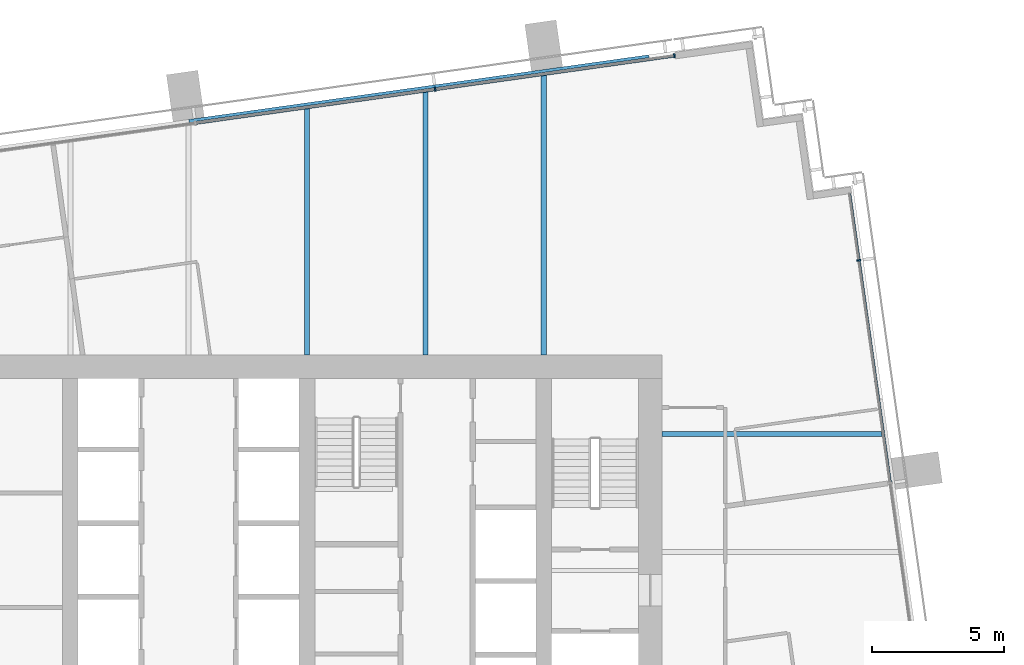
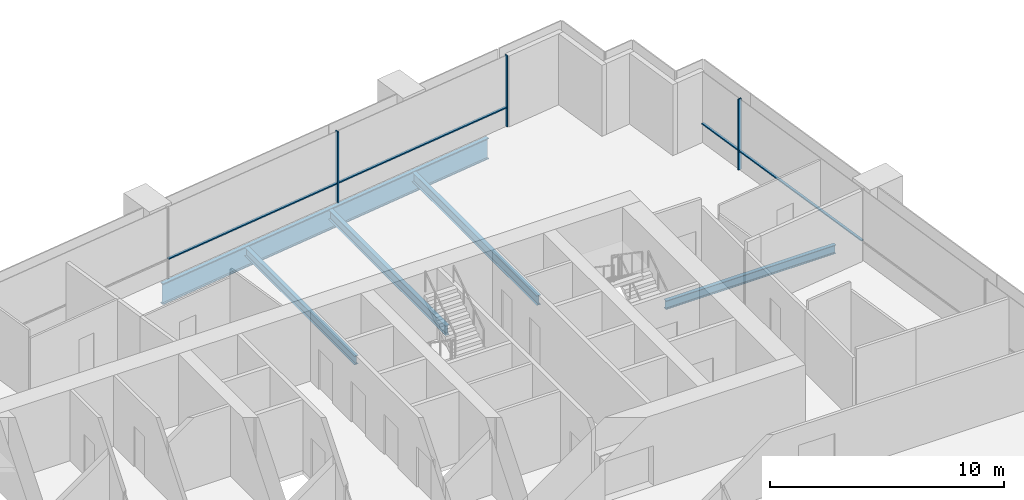
# One storey, part 7 of 18: 7 members, 5 beams, 2 elements without a shape of their own.
"""IFC4 building model written with IfcOpenShell, lengths in metres."""

from ifc_helpers import new_model, si_unit, direction, frame, origin, origin_2d, place, context, subcontext, project, spatial, rectangle, i_section, extrude, material, material_profile, profile_set, type_object, element, aggregate, save


model = new_model("IFC4")

# Units and contexts
model_context = context("Model", 3, precision=1e-05, world=origin(), true_north=direction((0.0, 1.0)))
body_context = subcontext(model_context, "Body", "Model", "MODEL_VIEW")
ifc_project = project(units=[si_unit("LENGTHUNIT", "METRE"), si_unit("AREAUNIT", "SQUARE_METRE"), si_unit("VOLUMEUNIT", "CUBIC_METRE"), si_unit("PLANEANGLEUNIT", "RADIAN"), si_unit("MASSUNIT", "GRAM", prefix="KILO")], contexts=[model_context])

# Site, building, storey
site_placement = place(None, origin())
site = spatial("IfcSite", under=ifc_project, at=site_placement, CompositionType="ELEMENT")
building_placement = place(site_placement, origin())
building = spatial("IfcBuilding", under=site, at=building_placement, Name="Rattan Terrace Tower", CompositionType="ELEMENT")
storey_placement = place(building_placement, frame((0.0, 0.0, 176.300048828125)))
storey = spatial("IfcBuildingStorey", under=building, at=storey_placement, Name="L40", CompositionType="ELEMENT", Elevation=176.300048828125)

# Curtain wall, member
ifc_material_1 = material(Name="Aluminium and glass", Category="aluminium")
curtain_wall_type = type_object("IfcCurtainWallType", Name="Facade Unitised Curtain Wall", PredefinedType="NOTDEFINED", material=ifc_material_1)
curtain_wall_1_placement = place(storey_placement, origin())
curtain_wall_1 = element("IfcCurtainWall", 1, at=curtain_wall_1_placement, inside=storey, type_object=curtain_wall_type, Name="Curtain wall L40-1", PredefinedType="NOTDEFINED")
ifc_material_2 = material(Name="Aluminium", Category="aluminium")
ifc_material_profile_1 = material_profile(ifc_material_2, rectangle(XDim=0.06005859375, YDim=0.159912109375, at=origin_2d()), Name="Aluminium 60x160")
ifc_profile_set_1 = profile_set([ifc_material_profile_1], Name="Aluminium")
member_type_1 = type_object("IfcMemberType", Name="Facade CW Mullion 60x160", PredefinedType="MULLION", material=ifc_profile_set_1)
member_1_placement = place(storey_placement, frame((25.477294921875, 11.092529296875, 0.0), z_axis=(0.0, 0.0, 1.0), x_axis=(-0.139190856006, 0.99026557327, 0.0)))
member_1 = element("IfcMember", 2, at=member_1_placement, type_object=member_type_1, Name="Mullion cwl-L40-001.4", PredefinedType="MULLION", context=body_context, shape_type="SweptSolid", body=[
    extrude(rectangle(XDim=0.06005859375, YDim=0.159912109375, at=origin_2d()), origin(), (0.0, 0.0, 1.0), 3.699951171875),
])

# Curtain wall, members
curtain_wall_2_placement = place(storey_placement, origin())
curtain_wall_2 = element("IfcCurtainWall", 3, at=curtain_wall_2_placement, inside=storey, type_object=curtain_wall_type, Name="Curtain wall L40-2", PredefinedType="NOTDEFINED")
member_2_placement = place(storey_placement, frame((18.467041015625, 18.87255859375, 0.0), z_axis=(0.0, 0.0, 1.0), x_axis=(-0.990269702686, -0.139161474347, 0.0)))
member_2 = element("IfcMember", 4, at=member_2_placement, type_object=member_type_1, Name="Mullion cwl-L40-002.1", PredefinedType="MULLION", context=body_context, shape_type="SweptSolid", body=[
    extrude(rectangle(XDim=0.06005859375, YDim=0.159912109375, at=origin_2d()), origin(), (0.0, 0.0, 1.0), 3.699951171875),
])
member_3_placement = place(storey_placement, frame((9.373291015625, 17.594482421875, 0.0), z_axis=(0.0, 0.0, 1.0), x_axis=(-0.990269702686, -0.139161474347, 0.0)))
member_3 = element("IfcMember", 5, at=member_3_placement, type_object=member_type_1, Name="Mullion cwl-L40-002.2", PredefinedType="MULLION", context=body_context, shape_type="SweptSolid", body=[
    extrude(rectangle(XDim=0.06005859375, YDim=0.159912109375, at=origin_2d()), origin(), (0.0, 0.0, 1.0), 3.699951171875),
])

# Member
ifc_material_3 = material(Name="Aluminium", Category="aluminium")
ifc_material_profile_2 = material_profile(ifc_material_3, rectangle(XDim=0.1201171875, YDim=0.06005859375, at=origin_2d()), Name="Aluminium 120x60")
ifc_profile_set_2 = profile_set([ifc_material_profile_2], Name="Aluminium")
member_type_2 = type_object("IfcMemberType", Name="Facade CW Transom 120x60", PredefinedType="USERDEFINED", material=ifc_profile_set_2)
member_4_placement = place(storey_placement, frame((26.663330078125, 2.655517578125, 1.0), z_axis=(-0.139178607515, 0.99026729483, 0.0), x_axis=(-0.99026729483, -0.139178607515, 0.0)))
member_4 = element("IfcMember", 6, at=member_4_placement, type_object=member_type_2, Name="Transom cwl-L40-001.3", ObjectType="TRANSOM", PredefinedType="USERDEFINED", context=body_context, shape_type="SweptSolid", body=[
    extrude(rectangle(XDim=0.1201171875, YDim=0.06005859375, at=origin_2d()), origin(), (0.0, 0.0, 1.0), 8.489990234375),
])

member_5_placement = place(storey_placement, frame((25.47314453125, 11.122314453125, 1.0), z_axis=(-0.139106713562, 0.990277396613, 0.0), x_axis=(-0.990277396613, -0.139106713562, 0.0)))
member_5 = element("IfcMember", 7, at=member_5_placement, type_object=member_type_2, Name="Transom cwl-L40-001.4", ObjectType="TRANSOM", PredefinedType="USERDEFINED", context=body_context, shape_type="SweptSolid", body=[
    extrude(rectangle(XDim=0.1201171875, YDim=0.06005859375, at=origin_2d()), origin(), (0.0, 0.0, 1.0), 2.525634765625),
])

aggregate(curtain_wall_1, [member_1, member_4, member_5])

member_6_placement = place(storey_placement, frame((18.437255859375, 18.868408203125, 1.0), z_axis=(-0.990266494002, -0.139184305354, 0.0), x_axis=(0.139184305354, -0.990266494002, 0.0)))
member_6 = element("IfcMember", 8, at=member_6_placement, type_object=member_type_2, Name="Transom cwl-L40-002.1", ObjectType="TRANSOM", PredefinedType="USERDEFINED", context=body_context, shape_type="SweptSolid", body=[
    extrude(rectangle(XDim=0.1201171875, YDim=0.06005859375, at=origin_2d()), origin(), (0.0, 0.0, 1.0), 9.123046875),
])

member_7_placement = place(storey_placement, frame((9.343505859375, 17.59033203125, 1.0), z_axis=(-0.990270711765, -0.139154293575, 0.0), x_axis=(0.139154293575, -0.990270711765, 0.0)))
member_7 = element("IfcMember", 9, at=member_7_placement, type_object=member_type_2, Name="Transom cwl-L40-002.2", ObjectType="TRANSOM", PredefinedType="USERDEFINED", context=body_context, shape_type="SweptSolid", body=[
    extrude(rectangle(XDim=0.1201171875, YDim=0.06005859375, at=origin_2d()), origin(), (0.0, 0.0, 1.0), 9.153076171875),
])

aggregate(curtain_wall_2, [member_2, member_3, member_6, member_7])

# Beams
ifc_material_4 = material(Name="Steel S460", Category="steel")
ifc_material_profile_3 = material_profile(ifc_material_4, i_section(OverallWidth=0.179931640625, OverallDepth=1.10009765625, WebThickness=0.01611328125, FlangeThickness=0.050048828125, at=origin_2d()), Name="PG 1100x180-16-50")
ifc_profile_set_3 = profile_set([ifc_material_profile_3], Name="Steel S460")
beam_type_1 = type_object("IfcBeamType", Name="Frame edge girder PG 1100x180-16-50", PredefinedType="SPANDREL", material=ifc_profile_set_3)
beam_1_placement = place(storey_placement, frame((17.4990234375, 18.818115234375, -0.75), z_axis=(-0.990264173921, -0.139200811234, 0.0), x_axis=(0.139200811234, -0.990264173921, 0.0)))
element("IfcBeam", 10, at=beam_1_placement, inside=storey, type_object=beam_type_1, Name="gdr-L40-007", PredefinedType="SPANDREL", context=body_context, shape_type="SweptSolid", body=[
    extrude(i_section(OverallWidth=0.179931640625, OverallDepth=1.10009765625, WebThickness=0.01611328125, FlangeThickness=0.050048828125, at=origin_2d()), origin(), (0.0, 0.0, 1.0), 17.657958984375),
])
ifc_material_5 = material(Name="Steel S355", Category="steel")
ifc_material_profile_4 = material_profile(ifc_material_5, i_section(OverallWidth=0.18994140625, OverallDepth=0.449951171875, WebThickness=0.009521484375, FlangeThickness=0.0146484375, FilletRadius=0.02099609375, at=origin_2d()), Name="IPE 450")
ifc_profile_set_4 = profile_set([ifc_material_profile_4], Name="Steel S355")
beam_type_2 = type_object("IfcBeamType", Name="Frame floor beam IPE 450", PredefinedType="JOIST", material=ifc_profile_set_4)
beam_2_placement = place(storey_placement, frame((18.0, 4.5, -0.425048828125), z_axis=(1.0, 0.0, 0.0), x_axis=(0.0, 1.0, 0.0)))
element("IfcBeam", 11, at=beam_2_placement, inside=storey, type_object=beam_type_2, Name="bm-L40-015", PredefinedType="JOIST", context=body_context, shape_type="SweptSolid", body=[
    extrude(i_section(OverallWidth=0.18994140625, OverallDepth=0.449951171875, WebThickness=0.009521484375, FlangeThickness=0.0146484375, FilletRadius=0.02099609375, at=origin_2d()), origin(), (0.0, 0.0, 1.0), 8.381103515625),
])
beam_3_placement = place(storey_placement, frame((4.5, 7.5, -0.425048828125), z_axis=(0.0, 1.0, 0.0), x_axis=(-1.0, 0.0, 0.0)))
element("IfcBeam", 12, at=beam_3_placement, inside=storey, type_object=beam_type_2, Name="bm-L40-020", PredefinedType="JOIST", context=body_context, shape_type="SweptSolid", body=[
    extrude(i_section(OverallWidth=0.18994140625, OverallDepth=0.449951171875, WebThickness=0.009521484375, FlangeThickness=0.0146484375, FilletRadius=0.02099609375, at=origin_2d()), origin(), (0.0, 0.0, 1.0), 9.385986328125),
])
ifc_material_6 = material(Name="Steel S355", Category="steel")
ifc_material_profile_5 = material_profile(ifc_material_6, i_section(OverallWidth=0.199951171875, OverallDepth=0.5, WebThickness=0.01025390625, FlangeThickness=0.01611328125, FilletRadius=0.02099609375, at=origin_2d()), Name="IPE 500")
ifc_profile_set_5 = profile_set([ifc_material_profile_5], Name="Steel S355")
beam_type_3 = type_object("IfcBeamType", Name="Frame floor beam IPE 500", PredefinedType="JOIST", material=ifc_profile_set_5)
beam_4_placement = place(storey_placement, frame((9.0, 7.5, -0.449951171875), z_axis=(0.0, 1.0, 0.0), x_axis=(-1.0, 0.0, 0.0)))
element("IfcBeam", 13, at=beam_4_placement, inside=storey, type_object=beam_type_3, Name="bm-L40-021", PredefinedType="JOIST", context=body_context, shape_type="SweptSolid", body=[
    extrude(i_section(OverallWidth=0.199951171875, OverallDepth=0.5, WebThickness=0.01025390625, FlangeThickness=0.01611328125, FilletRadius=0.02099609375, at=origin_2d()), origin(), (0.0, 0.0, 1.0), 10.01806640625),
])
beam_5_placement = place(storey_placement, frame((13.5, 7.5, -0.449951171875), z_axis=(0.0, 1.0, 0.0), x_axis=(-1.0, 0.0, 0.0)))
element("IfcBeam", 14, at=beam_5_placement, inside=storey, type_object=beam_type_3, Name="bm-L40-022", PredefinedType="JOIST", context=body_context, shape_type="SweptSolid", body=[
    extrude(i_section(OverallWidth=0.199951171875, OverallDepth=0.5, WebThickness=0.01025390625, FlangeThickness=0.01611328125, FilletRadius=0.02099609375, at=origin_2d()), origin(), (0.0, 0.0, 1.0), 10.65087890625),
])

save(model, "model.ifc")
